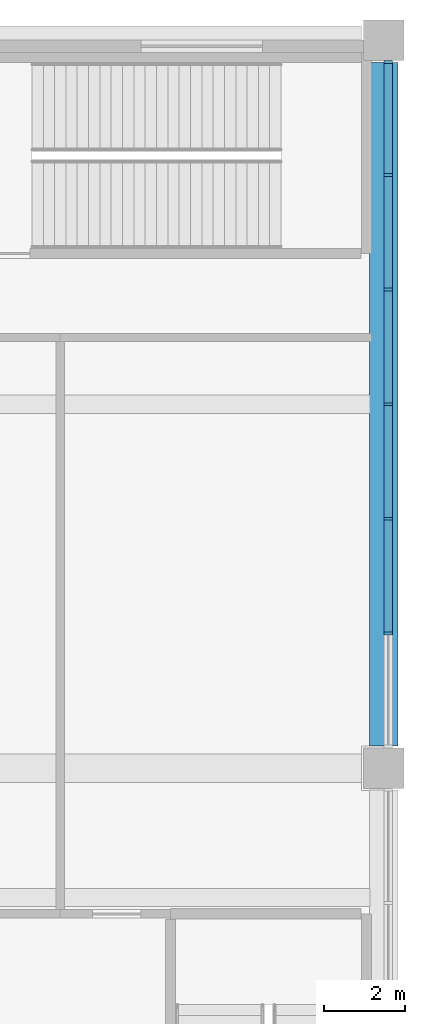
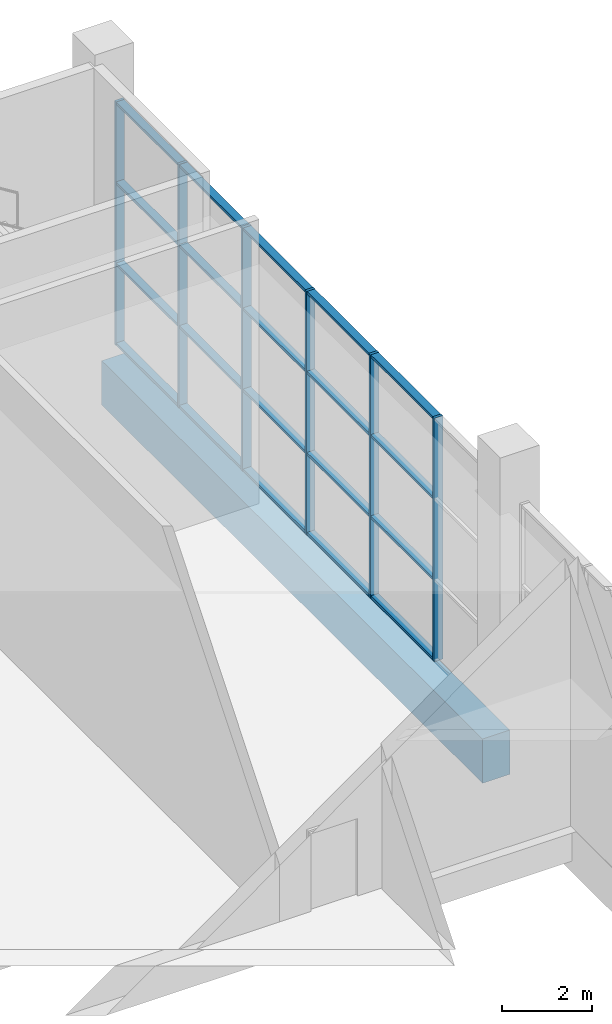
# One storey, part 3 of 15: 26 members, 1 beam, 1 element without a shape of its own.
"""IFC4 building model written with IfcOpenShell, lengths in metres."""

from ifc_helpers import new_model, si_unit, direction, frame, origin, origin_2d, place, context, subcontext, project, spatial, rectangle, extrude, material, material_profile, profile_set, type_object, element, aggregate, save


model = new_model("IFC4")

# Units and contexts
model_context = context("Model", 3, precision=1e-05, world=origin(), true_north=direction((0.0, 1.0)))
body_context = subcontext(model_context, "Body", "Model", "MODEL_VIEW")
ifc_project = project(units=[si_unit("LENGTHUNIT", "METRE"), si_unit("AREAUNIT", "SQUARE_METRE"), si_unit("VOLUMEUNIT", "CUBIC_METRE"), si_unit("PLANEANGLEUNIT", "RADIAN"), si_unit("MASSUNIT", "GRAM", prefix="KILO")], contexts=[model_context])

# Site, building, storey
site_placement = place(None, origin())
site = spatial("IfcSite", under=ifc_project, at=site_placement, CompositionType="ELEMENT")
building_placement = place(site_placement, origin())
building = spatial("IfcBuilding", under=site, at=building_placement, Name="Vanh Sen Convention Tower", CompositionType="ELEMENT")
storey_placement = place(building_placement, frame((0.0, 0.0, 13.0)))
storey = spatial("IfcBuildingStorey", under=building, at=storey_placement, Name="L02", CompositionType="ELEMENT", Elevation=13.0)

# Curtain wall, members
ifc_material_1 = material(Name="Aluminium structural glazing system", Category="aluminium")
curtain_wall_type = type_object("IfcCurtainWallType", Name="Podium hall structural glazing", PredefinedType="NOTDEFINED", material=ifc_material_1)
curtain_wall_placement = place(storey_placement, origin())
curtain_wall = element("IfcCurtainWall", 1, at=curtain_wall_placement, inside=storey, type_object=curtain_wall_type, Name="Podium hall glazing 3 L02", PredefinedType="NOTDEFINED")
ifc_material_2 = material(Name="Aluminium mullion", Category="aluminium")
ifc_material_profile_1 = material_profile(ifc_material_2, rectangle(XDim=0.219970703125, YDim=0.070068359375, at=origin_2d()), Name="Hall glazing mullion 70 x 220")
ifc_profile_set_1 = profile_set([ifc_material_profile_1], Name="Aluminium mullion")
member_type_1 = type_object("IfcMemberType", Name="Hall glazing mullion 70 x 220", PredefinedType="MULLION", material=ifc_profile_set_1)
member_1_placement = place(storey_placement, frame((45.110107421875, 12.333251953125, 0.0), z_axis=(0.0, 0.0, 1.0), x_axis=(-1.0, 0.0, 0.0)))
member_1 = element("IfcMember", 2, at=member_1_placement, type_object=member_type_1, Name="CW4 mullion 2", PredefinedType="MULLION", context=body_context, shape_type="SweptSolid", body=[
    extrude(rectangle(XDim=0.219970703125, YDim=0.070068359375, at=origin_2d()), origin(), (0.0, 0.0, 1.0), 6.60009765625),
])
member_2_placement = place(storey_placement, frame((45.110107421875, 15.166748046875, 0.0), z_axis=(0.0, 0.0, 1.0), x_axis=(-1.0, 0.0, 0.0)))
member_2 = element("IfcMember", 3, at=member_2_placement, type_object=member_type_1, Name="CW4 mullion 3", PredefinedType="MULLION", context=body_context, shape_type="SweptSolid", body=[
    extrude(rectangle(XDim=0.219970703125, YDim=0.070068359375, at=origin_2d()), origin(), (0.0, 0.0, 1.0), 6.60009765625),
])
member_3_placement = place(storey_placement, frame((45.110107421875, 18.0, 0.0), z_axis=(0.0, 0.0, 1.0), x_axis=(-1.0, 0.0, 0.0)))
member_3 = element("IfcMember", 4, at=member_3_placement, type_object=member_type_1, Name="CW4 mullion 4", PredefinedType="MULLION", context=body_context, shape_type="SweptSolid", body=[
    extrude(rectangle(XDim=0.219970703125, YDim=0.070068359375, at=origin_2d()), origin(), (0.0, 0.0, 1.0), 6.60009765625),
])
member_4_placement = place(storey_placement, frame((45.110107421875, 20.833251953125, 0.0), z_axis=(0.0, 0.0, 1.0), x_axis=(-1.0, 0.0, 0.0)))
member_4 = element("IfcMember", 5, at=member_4_placement, type_object=member_type_1, Name="CW4 mullion 5", PredefinedType="MULLION", context=body_context, shape_type="SweptSolid", body=[
    extrude(rectangle(XDim=0.219970703125, YDim=0.070068359375, at=origin_2d()), origin(), (0.0, 0.0, 1.0), 6.60009765625),
])
member_5_placement = place(storey_placement, frame((45.110107421875, 23.666748046875, 0.0), z_axis=(0.0, 0.0, 1.0), x_axis=(-1.0, 0.0, 0.0)))
member_5 = element("IfcMember", 6, at=member_5_placement, type_object=member_type_1, Name="CW4 mullion 6", PredefinedType="MULLION", context=body_context, shape_type="SweptSolid", body=[
    extrude(rectangle(XDim=0.219970703125, YDim=0.070068359375, at=origin_2d()), origin(), (0.0, 0.0, 1.0), 6.60009765625),
])
member_6_placement = place(storey_placement, frame((45.110107421875, 26.465087890625, 0.0), z_axis=(0.0, 0.0, 1.0), x_axis=(-1.0, 0.0, 0.0)))
member_6 = element("IfcMember", 7, at=member_6_placement, type_object=member_type_1, Name="CW4 mullion 7", PredefinedType="MULLION", context=body_context, shape_type="SweptSolid", body=[
    extrude(rectangle(XDim=0.219970703125, YDim=0.070068359375, at=origin_2d()), origin(), (0.0, 0.0, 1.0), 6.60009765625),
])
ifc_material_3 = material(Name="Aluminium transom", Category="aluminium")
ifc_material_profile_2 = material_profile(ifc_material_3, rectangle(XDim=0.199951171875, YDim=0.070068359375, at=origin_2d()), Name="Hall glazing transom 200 x 70")
ifc_profile_set_2 = profile_set([ifc_material_profile_2], Name="Aluminium transom")
member_type_2 = type_object("IfcMemberType", Name="Hall glazing transom 200 x 70", PredefinedType="USERDEFINED", material=ifc_profile_set_2)
member_7_placement = place(storey_placement, frame((45.110107421875, 12.368408203125, 0.034912109375), z_axis=(0.0, 1.0, 0.0), x_axis=(-1.0, 0.0, 0.0)))
member_7 = element("IfcMember", 8, at=member_7_placement, type_object=member_type_2, Name="CW4 transom 2.1", ObjectType="TRANSOM", PredefinedType="USERDEFINED", context=body_context, shape_type="SweptSolid", body=[
    extrude(rectangle(XDim=0.199951171875, YDim=0.070068359375, at=origin_2d()), origin(), (0.0, 0.0, 1.0), 2.76318359375),
])
member_8_placement = place(storey_placement, frame((45.110107421875, 12.368408203125, 2.199951171875), z_axis=(0.0, 1.0, 0.0), x_axis=(-1.0, 0.0, 0.0)))
member_8 = element("IfcMember", 9, at=member_8_placement, type_object=member_type_2, Name="CW4 transom 2.2", ObjectType="TRANSOM", PredefinedType="USERDEFINED", context=body_context, shape_type="SweptSolid", body=[
    extrude(rectangle(XDim=0.199951171875, YDim=0.070068359375, at=origin_2d()), origin(), (0.0, 0.0, 1.0), 2.76318359375),
])
member_9_placement = place(storey_placement, frame((45.110107421875, 12.368408203125, 4.39990234375), z_axis=(0.0, 1.0, 0.0), x_axis=(-1.0, 0.0, 0.0)))
member_9 = element("IfcMember", 10, at=member_9_placement, type_object=member_type_2, Name="CW4 transom 2.3", ObjectType="TRANSOM", PredefinedType="USERDEFINED", context=body_context, shape_type="SweptSolid", body=[
    extrude(rectangle(XDim=0.199951171875, YDim=0.070068359375, at=origin_2d()), origin(), (0.0, 0.0, 1.0), 2.76318359375),
])
member_10_placement = place(storey_placement, frame((45.110107421875, 12.368408203125, 6.56494140625), z_axis=(0.0, 1.0, 0.0), x_axis=(-1.0, 0.0, 0.0)))
member_10 = element("IfcMember", 11, at=member_10_placement, type_object=member_type_2, Name="CW4 transom 2.4", ObjectType="TRANSOM", PredefinedType="USERDEFINED", context=body_context, shape_type="SweptSolid", body=[
    extrude(rectangle(XDim=0.199951171875, YDim=0.070068359375, at=origin_2d()), origin(), (0.0, 0.0, 1.0), 2.76318359375),
])
member_11_placement = place(storey_placement, frame((45.110107421875, 15.20166015625, 0.034912109375), z_axis=(0.0, 1.0, 0.0), x_axis=(-1.0, 0.0, 0.0)))
member_11 = element("IfcMember", 12, at=member_11_placement, type_object=member_type_2, Name="CW4 transom 3.1", ObjectType="TRANSOM", PredefinedType="USERDEFINED", context=body_context, shape_type="SweptSolid", body=[
    extrude(rectangle(XDim=0.199951171875, YDim=0.070068359375, at=origin_2d()), origin(), (0.0, 0.0, 1.0), 2.763427734375),
])
member_12_placement = place(storey_placement, frame((45.110107421875, 15.20166015625, 2.199951171875), z_axis=(0.0, 1.0, 0.0), x_axis=(-1.0, 0.0, 0.0)))
member_12 = element("IfcMember", 13, at=member_12_placement, type_object=member_type_2, Name="CW4 transom 3.2", ObjectType="TRANSOM", PredefinedType="USERDEFINED", context=body_context, shape_type="SweptSolid", body=[
    extrude(rectangle(XDim=0.199951171875, YDim=0.070068359375, at=origin_2d()), origin(), (0.0, 0.0, 1.0), 2.763427734375),
])
member_13_placement = place(storey_placement, frame((45.110107421875, 15.20166015625, 4.39990234375), z_axis=(0.0, 1.0, 0.0), x_axis=(-1.0, 0.0, 0.0)))
member_13 = element("IfcMember", 14, at=member_13_placement, type_object=member_type_2, Name="CW4 transom 3.3", ObjectType="TRANSOM", PredefinedType="USERDEFINED", context=body_context, shape_type="SweptSolid", body=[
    extrude(rectangle(XDim=0.199951171875, YDim=0.070068359375, at=origin_2d()), origin(), (0.0, 0.0, 1.0), 2.763427734375),
])
member_14_placement = place(storey_placement, frame((45.110107421875, 15.20166015625, 6.56494140625), z_axis=(0.0, 1.0, 0.0), x_axis=(-1.0, 0.0, 0.0)))
member_14 = element("IfcMember", 15, at=member_14_placement, type_object=member_type_2, Name="CW4 transom 3.4", ObjectType="TRANSOM", PredefinedType="USERDEFINED", context=body_context, shape_type="SweptSolid", body=[
    extrude(rectangle(XDim=0.199951171875, YDim=0.070068359375, at=origin_2d()), origin(), (0.0, 0.0, 1.0), 2.763427734375),
])
member_15_placement = place(storey_placement, frame((45.110107421875, 18.034912109375, 0.034912109375), z_axis=(0.0, 1.0, 0.0), x_axis=(-1.0, 0.0, 0.0)))
member_15 = element("IfcMember", 16, at=member_15_placement, type_object=member_type_2, Name="CW4 transom 4.1", ObjectType="TRANSOM", PredefinedType="USERDEFINED", context=body_context, shape_type="SweptSolid", body=[
    extrude(rectangle(XDim=0.199951171875, YDim=0.070068359375, at=origin_2d()), origin(), (0.0, 0.0, 1.0), 2.763427734375),
])
member_16_placement = place(storey_placement, frame((45.110107421875, 18.034912109375, 2.199951171875), z_axis=(0.0, 1.0, 0.0), x_axis=(-1.0, 0.0, 0.0)))
member_16 = element("IfcMember", 17, at=member_16_placement, type_object=member_type_2, Name="CW4 transom 4.2", ObjectType="TRANSOM", PredefinedType="USERDEFINED", context=body_context, shape_type="SweptSolid", body=[
    extrude(rectangle(XDim=0.199951171875, YDim=0.070068359375, at=origin_2d()), origin(), (0.0, 0.0, 1.0), 2.763427734375),
])
member_17_placement = place(storey_placement, frame((45.110107421875, 18.034912109375, 4.39990234375), z_axis=(0.0, 1.0, 0.0), x_axis=(-1.0, 0.0, 0.0)))
member_17 = element("IfcMember", 18, at=member_17_placement, type_object=member_type_2, Name="CW4 transom 4.3", ObjectType="TRANSOM", PredefinedType="USERDEFINED", context=body_context, shape_type="SweptSolid", body=[
    extrude(rectangle(XDim=0.199951171875, YDim=0.070068359375, at=origin_2d()), origin(), (0.0, 0.0, 1.0), 2.763427734375),
])
member_18_placement = place(storey_placement, frame((45.110107421875, 18.034912109375, 6.56494140625), z_axis=(0.0, 1.0, 0.0), x_axis=(-1.0, 0.0, 0.0)))
member_18 = element("IfcMember", 19, at=member_18_placement, type_object=member_type_2, Name="CW4 transom 4.4", ObjectType="TRANSOM", PredefinedType="USERDEFINED", context=body_context, shape_type="SweptSolid", body=[
    extrude(rectangle(XDim=0.199951171875, YDim=0.070068359375, at=origin_2d()), origin(), (0.0, 0.0, 1.0), 2.763427734375),
])
member_19_placement = place(storey_placement, frame((45.110107421875, 20.868408203125, 0.034912109375), z_axis=(0.0, 1.0, 0.0), x_axis=(-1.0, 0.0, 0.0)))
member_19 = element("IfcMember", 20, at=member_19_placement, type_object=member_type_2, Name="CW4 transom 5.1", ObjectType="TRANSOM", PredefinedType="USERDEFINED", context=body_context, shape_type="SweptSolid", body=[
    extrude(rectangle(XDim=0.199951171875, YDim=0.070068359375, at=origin_2d()), origin(), (0.0, 0.0, 1.0), 2.76318359375),
])
member_20_placement = place(storey_placement, frame((45.110107421875, 20.868408203125, 2.199951171875), z_axis=(0.0, 1.0, 0.0), x_axis=(-1.0, 0.0, 0.0)))
member_20 = element("IfcMember", 21, at=member_20_placement, type_object=member_type_2, Name="CW4 transom 5.2", ObjectType="TRANSOM", PredefinedType="USERDEFINED", context=body_context, shape_type="SweptSolid", body=[
    extrude(rectangle(XDim=0.199951171875, YDim=0.070068359375, at=origin_2d()), origin(), (0.0, 0.0, 1.0), 2.76318359375),
])
member_21_placement = place(storey_placement, frame((45.110107421875, 20.868408203125, 4.39990234375), z_axis=(0.0, 1.0, 0.0), x_axis=(-1.0, 0.0, 0.0)))
member_21 = element("IfcMember", 22, at=member_21_placement, type_object=member_type_2, Name="CW4 transom 5.3", ObjectType="TRANSOM", PredefinedType="USERDEFINED", context=body_context, shape_type="SweptSolid", body=[
    extrude(rectangle(XDim=0.199951171875, YDim=0.070068359375, at=origin_2d()), origin(), (0.0, 0.0, 1.0), 2.76318359375),
])
member_22_placement = place(storey_placement, frame((45.110107421875, 20.868408203125, 6.56494140625), z_axis=(0.0, 1.0, 0.0), x_axis=(-1.0, 0.0, 0.0)))
member_22 = element("IfcMember", 23, at=member_22_placement, type_object=member_type_2, Name="CW4 transom 5.4", ObjectType="TRANSOM", PredefinedType="USERDEFINED", context=body_context, shape_type="SweptSolid", body=[
    extrude(rectangle(XDim=0.199951171875, YDim=0.070068359375, at=origin_2d()), origin(), (0.0, 0.0, 1.0), 2.76318359375),
])
member_23_placement = place(storey_placement, frame((45.110107421875, 23.70166015625, 0.034912109375), z_axis=(0.0, 1.0, 0.0), x_axis=(-1.0, 0.0, 0.0)))
member_23 = element("IfcMember", 24, at=member_23_placement, type_object=member_type_2, Name="CW4 transom 6.1", ObjectType="TRANSOM", PredefinedType="USERDEFINED", context=body_context, shape_type="SweptSolid", body=[
    extrude(rectangle(XDim=0.199951171875, YDim=0.070068359375, at=origin_2d()), origin(), (0.0, 0.0, 1.0), 2.728271484375),
])
member_24_placement = place(storey_placement, frame((45.110107421875, 23.70166015625, 2.199951171875), z_axis=(0.0, 1.0, 0.0), x_axis=(-1.0, 0.0, 0.0)))
member_24 = element("IfcMember", 25, at=member_24_placement, type_object=member_type_2, Name="CW4 transom 6.2", ObjectType="TRANSOM", PredefinedType="USERDEFINED", context=body_context, shape_type="SweptSolid", body=[
    extrude(rectangle(XDim=0.199951171875, YDim=0.070068359375, at=origin_2d()), origin(), (0.0, 0.0, 1.0), 2.728271484375),
])
member_25_placement = place(storey_placement, frame((45.110107421875, 23.70166015625, 4.39990234375), z_axis=(0.0, 1.0, 0.0), x_axis=(-1.0, 0.0, 0.0)))
member_25 = element("IfcMember", 26, at=member_25_placement, type_object=member_type_2, Name="CW4 transom 6.3", ObjectType="TRANSOM", PredefinedType="USERDEFINED", context=body_context, shape_type="SweptSolid", body=[
    extrude(rectangle(XDim=0.199951171875, YDim=0.070068359375, at=origin_2d()), origin(), (0.0, 0.0, 1.0), 2.728271484375),
])
member_26_placement = place(storey_placement, frame((45.110107421875, 23.70166015625, 6.56494140625), z_axis=(0.0, 1.0, 0.0), x_axis=(-1.0, 0.0, 0.0)))
member_26 = element("IfcMember", 27, at=member_26_placement, type_object=member_type_2, Name="CW4 transom 6.4", ObjectType="TRANSOM", PredefinedType="USERDEFINED", context=body_context, shape_type="SweptSolid", body=[
    extrude(rectangle(XDim=0.199951171875, YDim=0.070068359375, at=origin_2d()), origin(), (0.0, 0.0, 1.0), 2.728271484375),
])
aggregate(curtain_wall, [member_1, member_2, member_3, member_4, member_5, member_6, member_7, member_8, member_9, member_10, member_11, member_12, member_13, member_14, member_15, member_16, member_17, member_18, member_19, member_20, member_21, member_22, member_23, member_24, member_25, member_26])

# Beam
ifc_material_4 = material(Name="Concrete C50/60", Category="concrete")
ifc_material_profile_3 = material_profile(ifc_material_4, rectangle(XDim=0.699951171875, YDim=1.199951171875, at=origin_2d()), Name="RC 700X1200")
ifc_profile_set_3 = profile_set([ifc_material_profile_3], Name="Concrete C50/60")
beam_type = type_object("IfcBeamType", Name="Podium girder 700 x 1200", PredefinedType="BEAM", material=ifc_profile_set_3)
beam_placement = place(storey_placement, frame((45.0, 9.544921875, -0.89990234375), z_axis=(0.0, 1.0, 0.0), x_axis=(-1.0, 0.0, 0.0)))
element("IfcBeam", 28, at=beam_placement, inside=storey, type_object=beam_type, Name="Podium girder 13 L02", PredefinedType="BEAM", context=body_context, shape_type="SweptSolid", body=[
    extrude(rectangle(XDim=0.699951171875, YDim=1.199951171875, at=origin_2d()), origin(), (0.0, 0.0, 1.0), 16.91015625),
])

save(model, "model.ifc")
